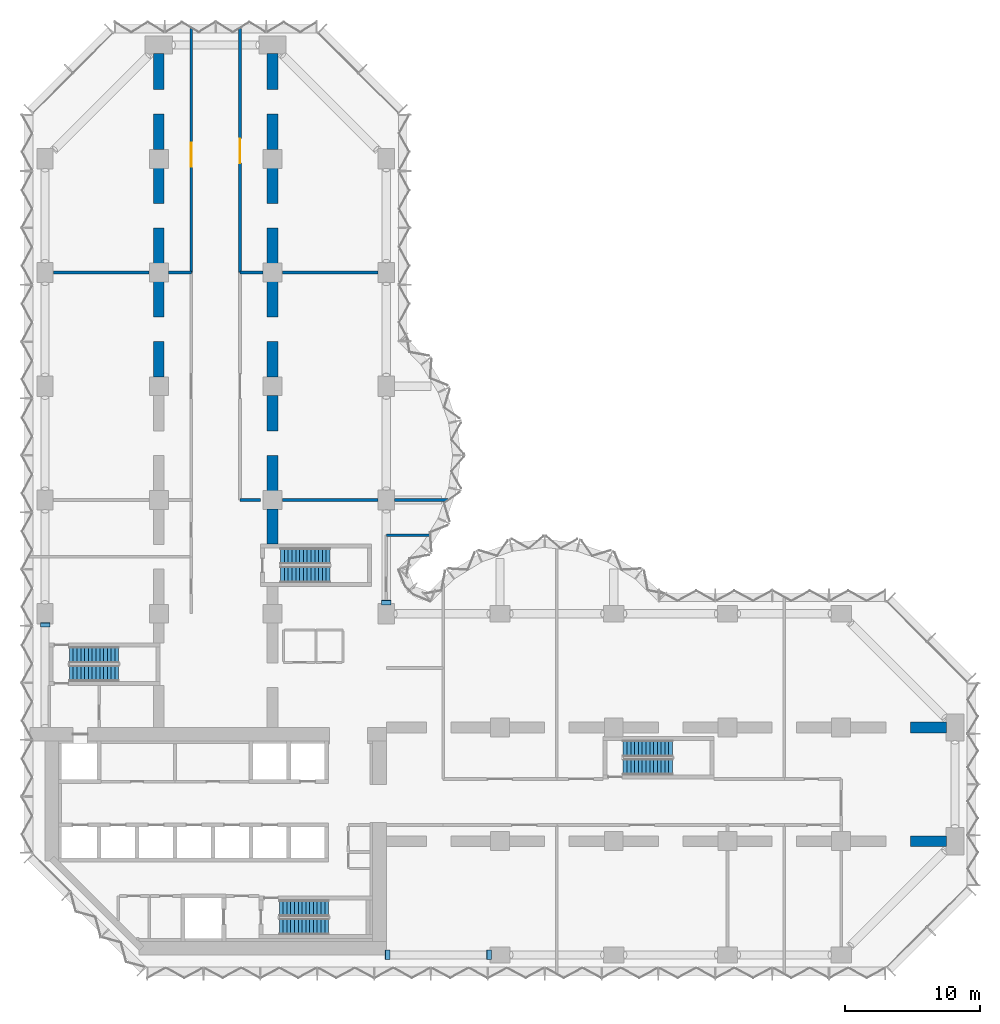
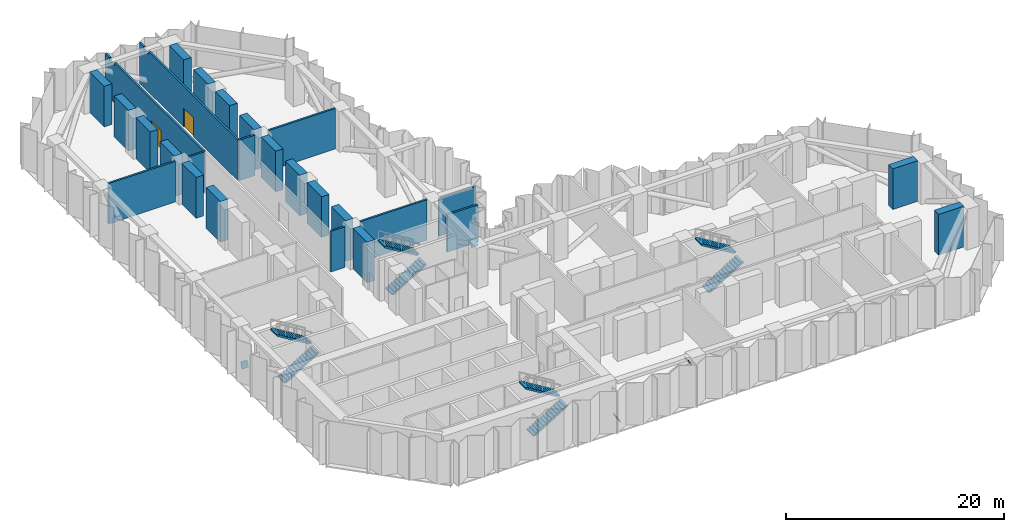
# One storey, part 13 of 18: 27 walls, 8 stair flights, 4 discrete accessories, 2 doors, 2 openings, 4 elements without a shape of their own.
"""IFC4 building model written with IfcOpenShell, lengths in metres."""

from ifc_helpers import new_model, si_unit, direction, frame, frame_2d, origin, origin_2d, place, context, subcontext, project, spatial, polyline, rectangle, outline, extrude, material, layer, layer_set, type_object, element, fill, aggregate, save


model = new_model("IFC4")

# Units and contexts
model_context = context("Model", 3, precision=1e-05, world=origin(), true_north=direction((0.0, 1.0)))
body_context = subcontext(model_context, "Body", "Model", "MODEL_VIEW")
ifc_project = project(units=[si_unit("LENGTHUNIT", "METRE"), si_unit("AREAUNIT", "SQUARE_METRE"), si_unit("VOLUMEUNIT", "CUBIC_METRE"), si_unit("PLANEANGLEUNIT", "RADIAN"), si_unit("MASSUNIT", "GRAM", prefix="KILO")], contexts=[model_context])

# Site, building, storey
site_placement = place(None, origin())
site = spatial("IfcSite", under=ifc_project, at=site_placement, CompositionType="ELEMENT")
building_placement = place(site_placement, origin())
building = spatial("IfcBuilding", under=site, at=building_placement, Name="Brevane Broadcast Tower", CompositionType="ELEMENT")
storey_placement = place(building_placement, frame((0.0, 0.0, 86.89990234375)))
storey = spatial("IfcBuildingStorey", under=building, at=storey_placement, Name="L20", CompositionType="ELEMENT", Elevation=86.89990234375)

# Walls
ifc_material_1 = material(Name="Gypsum board partition")
ifc_layer_1 = layer(ifc_material_1, 0.199951171875)
ifc_layer_set_1 = layer_set([ifc_layer_1], Name="PARTITION 200 EI 120")
wall_type_1 = type_object("IfcWallType", Name="PARTITION 200 EI 120", PredefinedType="PARTITIONING", material=ifc_layer_set_1)
wall_1_placement = place(storey_placement, frame((25.199951171875, 31.0, 0.0), z_axis=(0.0, 0.0, 1.0), x_axis=(1.0, 0.0, 0.0)))
element("IfcWall", 1, at=wall_1_placement, inside=storey, type_object=wall_type_1, Name="Partition R1-006", PredefinedType="PARTITIONING", context=body_context, shape_type="SweptSolid", body=[
    extrude(rectangle(XDim=3.32421875, YDim=0.199951171875, at=frame_2d((1.662109375, 0.0))), origin(), (0.0, 0.0, 1.0), 4.18017578125),
])
wall_2_placement = place(storey_placement, frame((14.39990234375, 33.60009765625, 0.0), z_axis=(0.0, 0.0, 1.0), x_axis=(1.0, 0.0, 0.0)))
element("IfcWall", 2, at=wall_2_placement, inside=storey, type_object=wall_type_1, Name="Partition R1-026", PredefinedType="PARTITIONING", context=body_context, shape_type="SweptSolid", body=[
    extrude(rectangle(XDim=1.5, YDim=0.199951171875, at=frame_2d((0.75, 0.0))), origin(), (0.0, 0.0, 1.0), 4.530029296875),
])
wall_3_placement = place(storey_placement, frame((17.52001953125, 33.60009765625, 0.0), z_axis=(0.0, 0.0, 1.0), x_axis=(1.0, 0.0, 0.0)))
element("IfcWall", 3, at=wall_3_placement, inside=storey, type_object=wall_type_1, Name="Partition R1-027", PredefinedType="PARTITIONING", context=body_context, shape_type="SweptSolid", body=[
    extrude(rectangle(XDim=7.06005859375, YDim=0.199951171875, at=frame_2d((3.530029296875, 0.0))), origin(), (0.0, 0.0, 1.0), 4.530029296875),
])
wall_4_placement = place(storey_placement, frame((25.820068359375, 33.60009765625, 0.0), z_axis=(0.0, 0.0, 1.0), x_axis=(1.0, 0.0, 0.0)))
element("IfcWall", 4, at=wall_4_placement, inside=storey, type_object=wall_type_1, Name="Partition R1-028", PredefinedType="PARTITIONING", context=body_context, shape_type="SweptSolid", body=[
    extrude(rectangle(XDim=3.94189453125, YDim=0.199951171875, at=frame_2d((1.970947265625, 0.0))), origin(), (0.0, 0.0, 1.0), 4.18017578125),
])

# Wall, opening, door
wall_5_placement = place(storey_placement, frame((10.800048828125, 50.39990234375, 0.0), z_axis=(0.0, 0.0, 1.0), x_axis=(0.0, 1.0, 0.0)))
wall_5 = element("IfcWall", 5, at=wall_5_placement, inside=storey, type_object=wall_type_1, Name="Partition R1-030", PredefinedType="PARTITIONING", context=body_context, shape_type="SweptSolid", body=[
    extrude(outline(polyline([(0.0, 0.0), (18.023193359375, 0.0), (18.023193359375, 4.530029296875), (17.8798828125, 4.530029296875), (17.25, 4.530029296875), (17.248046875, 4.18017578125), (16.35205078125, 4.18017578125), (16.35009765625, 4.530029296875), (0.0, 4.530029296875), (0.0, 0.0)])), frame((0.0, 0.10009765625, 0.0), z_axis=(0.0, -1.0, 0.0), x_axis=(1.0, 0.0, 0.0)), (0.0, 0.0, 1.0), 0.199951171875),
])
opening_1_placement = place(wall_5_placement, frame((7.800048828125, 0.0, 0.0)))
opening_1 = element("IfcOpeningElement", 6, at=opening_1_placement, cuts=wall_5, Name="Opening D12-013", PredefinedType="OPENING", context=body_context, shape_type="SweptSolid", body=[
    extrude(rectangle(XDim=1.800048828125, YDim=2.10009765625, at=frame_2d((0.89990234375, 1.050048828125))), frame((0.0, 0.10986328125, 0.0), z_axis=(0.0, -1.0, 0.0), x_axis=(1.0, 0.0, 0.0)), (0.0, 0.0, 1.0), 0.219970703125),
])
ifc_material_2 = material(Name="Fire-rated timber door leaf", Category="wood")
door_type = type_object("IfcDoorType", Name="DOOR DOUBLE 1800 FD60", OperationType="DOUBLE_DOOR_SINGLE_SWING", PredefinedType="DOOR", material=ifc_material_2)
door_1_placement = place(opening_1_placement, origin())
door_1 = element("IfcDoor", 7, at=door_1_placement, inside=storey, type_object=door_type, Name="Door D12-013", OperationType="DOUBLE_DOOR_SINGLE_SWING", OverallHeight=2.10009765625, OverallWidth=1.800048828125, PredefinedType="DOOR", context=body_context, shape_type="SweptSolid", body=[
    extrude(rectangle(XDim=1.800048828125, YDim=2.10009765625, at=frame_2d((0.89990234375, 1.050048828125))), frame((0.0, 0.02490234375, 0.0), z_axis=(0.0, -1.0, 0.0), x_axis=(1.0, 0.0, 0.0)), (0.0, 0.0, 1.0), 0.050048828125),
])
fill(opening_1, door_1)

wall_6_placement = place(storey_placement, frame((14.39990234375, 68.423095703125, 0.0), z_axis=(0.0, 0.0, 1.0), x_axis=(0.0, -1.0, 0.0)))
wall_6 = element("IfcWall", 8, at=wall_6_placement, inside=storey, type_object=wall_type_1, Name="Partition R1-032", PredefinedType="PARTITIONING", context=body_context, shape_type="SweptSolid", body=[
    extrude(outline(polyline([(0.0, 0.0), (18.023193359375, 0.0), (18.023193359375, 4.530029296875), (1.673095703125, 4.530029296875), (1.671142578125, 4.18017578125), (0.775146484375, 4.18017578125), (0.773193359375, 4.530029296875), (0.143310546875, 4.530029296875), (0.0, 4.530029296875), (0.0, 0.0)])), frame((0.0, 0.10009765625, 0.0), z_axis=(0.0, -1.0, 0.0), x_axis=(1.0, 0.0, 0.0)), (0.0, 0.0, 1.0), 0.199951171875),
])
opening_2_placement = place(wall_6_placement, frame((8.143310546875, 0.0, 0.0)))
opening_2 = element("IfcOpeningElement", 9, at=opening_2_placement, cuts=wall_6, Name="Opening D12-015", PredefinedType="OPENING", context=body_context, shape_type="SweptSolid", body=[
    extrude(rectangle(XDim=1.800048828125, YDim=2.10009765625, at=frame_2d((0.89990234375, 1.050048828125))), frame((0.0, 0.10986328125, 0.0), z_axis=(0.0, -1.0, 0.0), x_axis=(1.0, 0.0, 0.0)), (0.0, 0.0, 1.0), 0.219970703125),
])
door_2_placement = place(opening_2_placement, origin())
door_2 = element("IfcDoor", 10, at=door_2_placement, inside=storey, type_object=door_type, Name="Door D12-015", OperationType="DOUBLE_DOOR_SINGLE_SWING", OverallHeight=2.10009765625, OverallWidth=1.800048828125, PredefinedType="DOOR", context=body_context, shape_type="SweptSolid", body=[
    extrude(rectangle(XDim=1.800048828125, YDim=2.10009765625, at=frame_2d((0.89990234375, 1.050048828125))), frame((0.0, 0.02490234375, 0.0), z_axis=(0.0, -1.0, 0.0), x_axis=(1.0, 0.0, 0.0)), (0.0, 0.0, 1.0), 0.050048828125),
])
fill(opening_2, door_2)

# Walls
wall_7_placement = place(storey_placement, frame((0.6201171875, 50.39990234375, 0.0), z_axis=(0.0, 0.0, 1.0), x_axis=(1.0, 0.0, 0.0)))
element("IfcWall", 11, at=wall_7_placement, inside=storey, type_object=wall_type_1, Name="Partition R1-036", PredefinedType="PARTITIONING", context=body_context, shape_type="SweptSolid", body=[
    extrude(rectangle(XDim=7.059814453125, YDim=0.199951171875, at=frame_2d((3.52978515625, 0.0))), origin(), (0.0, 0.0, 1.0), 4.530029296875),
])
wall_8_placement = place(storey_placement, frame((9.1201171875, 50.39990234375, 0.0), z_axis=(0.0, 0.0, 1.0), x_axis=(1.0, 0.0, 0.0)))
element("IfcWall", 12, at=wall_8_placement, inside=storey, type_object=wall_type_1, Name="Partition R1-037", PredefinedType="PARTITIONING", context=body_context, shape_type="SweptSolid", body=[
    extrude(rectangle(XDim=1.679931640625, YDim=0.199951171875, at=frame_2d((0.83984375, 0.0))), origin(), (0.0, 0.0, 1.0), 4.530029296875),
])
wall_9_placement = place(storey_placement, frame((14.39990234375, 50.39990234375, 0.0), z_axis=(0.0, 0.0, 1.0), x_axis=(1.0, 0.0, 0.0)))
element("IfcWall", 13, at=wall_9_placement, inside=storey, type_object=wall_type_1, Name="Partition R1-038", PredefinedType="PARTITIONING", context=body_context, shape_type="SweptSolid", body=[
    extrude(rectangle(XDim=1.68017578125, YDim=0.199951171875, at=frame_2d((0.840087890625, 0.0))), origin(), (0.0, 0.0, 1.0), 4.530029296875),
])
wall_10_placement = place(storey_placement, frame((17.52001953125, 50.39990234375, 0.0), z_axis=(0.0, 0.0, 1.0), x_axis=(1.0, 0.0, 0.0)))
element("IfcWall", 14, at=wall_10_placement, inside=storey, type_object=wall_type_1, Name="Partition R1-039", PredefinedType="PARTITIONING", context=body_context, shape_type="SweptSolid", body=[
    extrude(rectangle(XDim=7.06005859375, YDim=0.199951171875, at=frame_2d((3.530029296875, 0.0))), origin(), (0.0, 0.0, 1.0), 4.530029296875),
])
ifc_material_3 = material(Name="Concrete C60/75", Category="concrete")
ifc_layer_2 = layer(ifc_material_3, 0.800048828125)
ifc_layer_set_2 = layer_set([ifc_layer_2], Name="RC OUTRIGGER WALL 800 C60/75")
wall_type_2 = type_object("IfcWallType", Name="RC OUTRIGGER WALL 800 C60/75", PredefinedType="SHEAR", material=ifc_layer_set_2)
for number, where, z_axis, x_axis, name in (
    (15, (63.925048828125, 8.39990234375, 0.0), (0.0, 0.0, 1.0), (1.0, 0.0, 0.0), "OR1 L20-10"),
    (16, (63.925048828125, 16.800048828125, 0.0), (0.0, 0.0, 1.0), (1.0, 0.0, 0.0), "OR1 L20-20"),
):
    element("IfcWall", number, at=place(storey_placement, frame(where, z_axis=z_axis, x_axis=x_axis)), inside=storey, type_object=wall_type_2, Name=name, PredefinedType="SHEAR", context=body_context, shape_type="SweptSolid", body=[
        extrude(rectangle(XDim=2.655029296875, YDim=0.800048828125, at=frame_2d((1.32763671875, 0.0))), origin(), (0.0, 0.0, 1.0), 4.550048828125),
    ])
wall_11_placement = place(storey_placement, frame((8.39990234375, 42.669921875, 0.0), z_axis=(0.0, 0.0, 1.0), x_axis=(0.0, 1.0, 0.0)))
element("IfcWall", 17, at=wall_11_placement, inside=storey, type_object=wall_type_2, Name="OR1 L20-27", PredefinedType="SHEAR", context=body_context, shape_type="SweptSolid", body=[
    extrude(rectangle(XDim=2.630126953125, YDim=0.800048828125, at=frame_2d((1.31494140625, 0.0))), origin(), (0.0, 0.0, 1.0), 4.550048828125),
])
for number, where, z_axis, x_axis, name in (
    (18, (8.39990234375, 47.10009765625, 0.0), (0.0, 0.0, 1.0), (0.0, 1.0, 0.0), "OR1 L20-28"),
    (19, (8.39990234375, 51.070068359375, 0.0), (0.0, 0.0, 1.0), (0.0, 1.0, 0.0), "OR1 L20-29"),
    (20, (8.39990234375, 55.5, 0.0), (0.0, 0.0, 1.0), (0.0, 1.0, 0.0), "OR1 L20-30"),
):
    element("IfcWall", number, at=place(storey_placement, frame(where, z_axis=z_axis, x_axis=x_axis)), inside=storey, type_object=wall_type_2, Name=name, PredefinedType="SHEAR", context=body_context, shape_type="SweptSolid", body=[
        extrude(rectangle(XDim=2.6298828125, YDim=0.800048828125, at=frame_2d((1.31494140625, 0.0))), origin(), (0.0, 0.0, 1.0), 4.550048828125),
    ])
for number, where, z_axis, x_axis, name in (
    (21, (8.39990234375, 59.469970703125, 0.0), (0.0, 0.0, 1.0), (0.0, 1.0, 0.0), "OR1 L20-31"),
    (22, (8.39990234375, 63.925048828125, 0.0), (0.0, 0.0, 1.0), (0.0, 1.0, 0.0), "OR1 L20-32"),
):
    element("IfcWall", number, at=place(storey_placement, frame(where, z_axis=z_axis, x_axis=x_axis)), inside=storey, type_object=wall_type_2, Name=name, PredefinedType="SHEAR", context=body_context, shape_type="SweptSolid", body=[
        extrude(rectangle(XDim=2.655029296875, YDim=0.800048828125, at=frame_2d((1.32763671875, 0.0))), origin(), (0.0, 0.0, 1.0), 4.550048828125),
    ])
wall_12_placement = place(storey_placement, frame((16.800048828125, 30.35009765625, 0.0), z_axis=(0.0, 0.0, 1.0), x_axis=(0.0, 1.0, 0.0)))
element("IfcWall", 23, at=wall_12_placement, inside=storey, type_object=wall_type_2, Name="OR1 L20-35", PredefinedType="SHEAR", context=body_context, shape_type="SweptSolid", body=[
    extrude(rectangle(XDim=2.579833984375, YDim=0.800048828125, at=frame_2d((1.2900390625, 0.0))), origin(), (0.0, 0.0, 1.0), 4.550048828125),
])
wall_13_placement = place(storey_placement, frame((16.800048828125, 34.27001953125, 0.0), z_axis=(0.0, 0.0, 1.0), x_axis=(0.0, 1.0, 0.0)))
element("IfcWall", 24, at=wall_13_placement, inside=storey, type_object=wall_type_2, Name="OR1 L20-37", PredefinedType="SHEAR", context=body_context, shape_type="SweptSolid", body=[
    extrude(rectangle(XDim=2.6298828125, YDim=0.800048828125, at=frame_2d((1.31494140625, 0.0))), origin(), (0.0, 0.0, 1.0), 4.550048828125),
])
for number, where, z_axis, x_axis, name in (
    (25, (16.800048828125, 38.699951171875, 0.0), (0.0, 0.0, 1.0), (0.0, 1.0, 0.0), "OR1 L20-38"),
    (26, (16.800048828125, 42.669921875, 0.0), (0.0, 0.0, 1.0), (0.0, 1.0, 0.0), "OR1 L20-39"),
):
    element("IfcWall", number, at=place(storey_placement, frame(where, z_axis=z_axis, x_axis=x_axis)), inside=storey, type_object=wall_type_2, Name=name, PredefinedType="SHEAR", context=body_context, shape_type="SweptSolid", body=[
        extrude(rectangle(XDim=2.630126953125, YDim=0.800048828125, at=frame_2d((1.31494140625, 0.0))), origin(), (0.0, 0.0, 1.0), 4.550048828125),
    ])
for number, where, z_axis, x_axis, name in (
    (27, (16.800048828125, 47.10009765625, 0.0), (0.0, 0.0, 1.0), (0.0, 1.0, 0.0), "OR1 L20-40"),
    (28, (16.800048828125, 51.070068359375, 0.0), (0.0, 0.0, 1.0), (0.0, 1.0, 0.0), "OR1 L20-41"),
    (29, (16.800048828125, 55.5, 0.0), (0.0, 0.0, 1.0), (0.0, 1.0, 0.0), "OR1 L20-42"),
):
    element("IfcWall", number, at=place(storey_placement, frame(where, z_axis=z_axis, x_axis=x_axis)), inside=storey, type_object=wall_type_2, Name=name, PredefinedType="SHEAR", context=body_context, shape_type="SweptSolid", body=[
        extrude(rectangle(XDim=2.6298828125, YDim=0.800048828125, at=frame_2d((1.31494140625, 0.0))), origin(), (0.0, 0.0, 1.0), 4.550048828125),
    ])
for number, where, z_axis, x_axis, name in (
    (30, (16.800048828125, 59.469970703125, 0.0), (0.0, 0.0, 1.0), (0.0, 1.0, 0.0), "OR1 L20-43"),
    (31, (16.800048828125, 63.925048828125, 0.0), (0.0, 0.0, 1.0), (0.0, 1.0, 0.0), "OR1 L20-44"),
):
    element("IfcWall", number, at=place(storey_placement, frame(where, z_axis=z_axis, x_axis=x_axis)), inside=storey, type_object=wall_type_2, Name=name, PredefinedType="SHEAR", context=body_context, shape_type="SweptSolid", body=[
        extrude(rectangle(XDim=2.655029296875, YDim=0.800048828125, at=frame_2d((1.32763671875, 0.0))), origin(), (0.0, 0.0, 1.0), 4.550048828125),
    ])

# Stair, stair flights
ifc_material_4 = material(Name="Concrete C50/60", Category="concrete")
stair_type = type_object("IfcStairType", Name="Exit stair 28 risers", PredefinedType="HALF_TURN_STAIR", material=ifc_material_4)
stair_1_placement = place(storey_placement, origin())
stair_1 = element("IfcStair", 32, at=stair_1_placement, inside=storey, type_object=stair_type, Name="L20 Exit stair ST-1", PredefinedType="HALF_TURN_STAIR")
stair_flight_type = type_object("IfcStairFlightType", Name="Exit stair flight 28 risers", PredefinedType="STRAIGHT", material=ifc_material_4)
stair_flight_1_placement = place(storey_placement, frame((1.800048828125, 20.800048828125, 0.0), z_axis=(0.0, 0.0, 1.0), x_axis=(1.0, 0.0, 0.0)))
stair_flight_1 = element("IfcStairFlight", 33, at=stair_flight_1_placement, type_object=stair_flight_type, Name="ST-1 flight 1", NumberOfRisers=14, NumberOfTreads=13, PredefinedType="STRAIGHT", RiserHeight=0.171428571, TreadLength=0.28, context=body_context, shape_type="SweptSolid", body=[
    extrude(outline(polyline([(0.0, 0.0), (0.0, 0.17138671875), (0.280029296875, 0.17138671875), (0.280029296875, 0.3427734375), (0.56005859375, 0.3427734375), (0.56005859375, 0.514404296875), (0.840087890625, 0.514404296875), (0.840087890625, 0.685791015625), (1.1201171875, 0.685791015625), (1.1201171875, 0.857177734375), (1.39990234375, 0.857177734375), (1.39990234375, 1.028564453125), (1.679931640625, 1.028564453125), (1.679931640625, 1.199951171875), (1.9599609375, 1.199951171875), (1.9599609375, 1.371337890625), (2.239990234375, 1.371337890625), (2.239990234375, 1.54296875), (2.52001953125, 1.54296875), (2.52001953125, 1.71435546875), (2.800048828125, 1.71435546875), (2.800048828125, 1.8857421875), (3.080078125, 1.8857421875), (3.080078125, 2.05712890625), (3.360107421875, 2.05712890625), (3.360107421875, 2.228515625), (3.639892578125, 2.228515625), (3.639892578125, 2.39990234375), (3.639892578125, 2.052734375), (0.287109375, 0.0), (0.0, 0.0)])), frame((0.0, 0.60009765625, 0.0), z_axis=(0.0, -1.0, 0.0), x_axis=(1.0, 0.0, 0.0)), (0.0, 0.0, 1.0), 1.199951171875),
])
stair_flight_2_placement = place(storey_placement, frame((5.43994140625, 22.14990234375, 2.400146484375), z_axis=(0.0, 0.0, 1.0), x_axis=(-1.0, 0.0, 0.0)))
stair_flight_2 = element("IfcStairFlight", 34, at=stair_flight_2_placement, type_object=stair_flight_type, Name="ST-1 flight 2", NumberOfRisers=14, NumberOfTreads=13, PredefinedType="STRAIGHT", RiserHeight=0.171428571, TreadLength=0.28, context=body_context, shape_type="SweptSolid", body=[
    extrude(outline(polyline([(0.0, 0.0), (0.0, 0.17138671875), (0.280029296875, 0.17138671875), (0.280029296875, 0.3427734375), (0.56005859375, 0.3427734375), (0.56005859375, 0.514404296875), (0.840087890625, 0.514404296875), (0.840087890625, 0.685791015625), (1.1201171875, 0.685791015625), (1.1201171875, 0.857177734375), (1.39990234375, 0.857177734375), (1.39990234375, 1.028564453125), (1.679931640625, 1.028564453125), (1.679931640625, 1.199951171875), (1.9599609375, 1.199951171875), (1.9599609375, 1.371337890625), (2.239990234375, 1.371337890625), (2.239990234375, 1.54296875), (2.52001953125, 1.54296875), (2.52001953125, 1.71435546875), (2.800048828125, 1.71435546875), (2.800048828125, 1.8857421875), (3.080078125, 1.8857421875), (3.080078125, 2.05712890625), (3.360107421875, 2.05712890625), (3.360107421875, 2.228515625), (3.639892578125, 2.228515625), (3.639892578125, 2.39990234375), (3.639892578125, 2.052734375), (0.287109375, 0.0), (0.0, 0.0)])), frame((0.0, 0.60009765625, 0.0), z_axis=(0.0, -1.0, 0.0), x_axis=(1.0, 0.0, 0.0)), (0.0, 0.0, 1.0), 1.199951171875),
])
aggregate(stair_1, [stair_flight_1, stair_flight_2])

stair_2_placement = place(storey_placement, origin())
stair_2 = element("IfcStair", 35, at=stair_2_placement, inside=storey, type_object=stair_type, Name="L20 Exit stair ST-2", PredefinedType="HALF_TURN_STAIR")
stair_flight_3_placement = place(storey_placement, frame((17.300048828125, 2.10009765625, 0.0), z_axis=(0.0, 0.0, 1.0), x_axis=(1.0, 0.0, 0.0)))
stair_flight_3 = element("IfcStairFlight", 36, at=stair_flight_3_placement, type_object=stair_flight_type, Name="ST-2 flight 1", NumberOfRisers=14, NumberOfTreads=13, PredefinedType="STRAIGHT", RiserHeight=0.171428571, TreadLength=0.28, context=body_context, shape_type="SweptSolid", body=[
    extrude(outline(polyline([(0.0, 0.0), (0.0, 0.17138671875), (0.280029296875, 0.17138671875), (0.280029296875, 0.3427734375), (0.56005859375, 0.3427734375), (0.56005859375, 0.514404296875), (0.840087890625, 0.514404296875), (0.840087890625, 0.685791015625), (1.1201171875, 0.685791015625), (1.1201171875, 0.857177734375), (1.39990234375, 0.857177734375), (1.39990234375, 1.028564453125), (1.679931640625, 1.028564453125), (1.679931640625, 1.199951171875), (1.9599609375, 1.199951171875), (1.9599609375, 1.371337890625), (2.239990234375, 1.371337890625), (2.239990234375, 1.54296875), (2.52001953125, 1.54296875), (2.52001953125, 1.71435546875), (2.800048828125, 1.71435546875), (2.800048828125, 1.8857421875), (3.080078125, 1.8857421875), (3.080078125, 2.05712890625), (3.360107421875, 2.05712890625), (3.360107421875, 2.228515625), (3.639892578125, 2.228515625), (3.639892578125, 2.39990234375), (3.639892578125, 2.052734375), (0.287109375, 0.0), (0.0, 0.0)])), frame((0.0, 0.60009765625, 0.0), z_axis=(0.0, -1.0, 0.0), x_axis=(1.0, 0.0, 0.0)), (0.0, 0.0, 1.0), 1.199951171875),
])
stair_flight_4_placement = place(storey_placement, frame((20.93994140625, 3.449951171875, 2.400146484375), z_axis=(0.0, 0.0, 1.0), x_axis=(-1.0, 0.0, 0.0)))
stair_flight_4 = element("IfcStairFlight", 37, at=stair_flight_4_placement, type_object=stair_flight_type, Name="ST-2 flight 2", NumberOfRisers=14, NumberOfTreads=13, PredefinedType="STRAIGHT", RiserHeight=0.171428571, TreadLength=0.28, context=body_context, shape_type="SweptSolid", body=[
    extrude(outline(polyline([(0.0, 0.0), (0.0, 0.17138671875), (0.280029296875, 0.17138671875), (0.280029296875, 0.3427734375), (0.56005859375, 0.3427734375), (0.56005859375, 0.514404296875), (0.840087890625, 0.514404296875), (0.840087890625, 0.685791015625), (1.1201171875, 0.685791015625), (1.1201171875, 0.857177734375), (1.39990234375, 0.857177734375), (1.39990234375, 1.028564453125), (1.679931640625, 1.028564453125), (1.679931640625, 1.199951171875), (1.9599609375, 1.199951171875), (1.9599609375, 1.371337890625), (2.239990234375, 1.371337890625), (2.239990234375, 1.54296875), (2.52001953125, 1.54296875), (2.52001953125, 1.71435546875), (2.800048828125, 1.71435546875), (2.800048828125, 1.8857421875), (3.080078125, 1.8857421875), (3.080078125, 2.05712890625), (3.360107421875, 2.05712890625), (3.360107421875, 2.228515625), (3.639892578125, 2.228515625), (3.639892578125, 2.39990234375), (3.639892578125, 2.052734375), (0.287109375, 0.0), (0.0, 0.0)])), frame((0.0, 0.60009765625, 0.0), z_axis=(0.0, -1.0, 0.0), x_axis=(1.0, 0.0, 0.0)), (0.0, 0.0, 1.0), 1.199951171875),
])
aggregate(stair_2, [stair_flight_3, stair_flight_4])

stair_3_placement = place(storey_placement, origin())
stair_3 = element("IfcStair", 38, at=stair_3_placement, inside=storey, type_object=stair_type, Name="L20 Exit stair ST-3", PredefinedType="HALF_TURN_STAIR")
stair_flight_5_placement = place(storey_placement, frame((17.39990234375, 28.10009765625, 0.0), z_axis=(0.0, 0.0, 1.0), x_axis=(1.0, 0.0, 0.0)))
stair_flight_5 = element("IfcStairFlight", 39, at=stair_flight_5_placement, type_object=stair_flight_type, Name="ST-3 flight 1", NumberOfRisers=14, NumberOfTreads=13, PredefinedType="STRAIGHT", RiserHeight=0.171428571, TreadLength=0.28, context=body_context, shape_type="SweptSolid", body=[
    extrude(outline(polyline([(0.0, 0.0), (0.0, 0.17138671875), (0.280029296875, 0.17138671875), (0.280029296875, 0.3427734375), (0.56005859375, 0.3427734375), (0.56005859375, 0.514404296875), (0.840087890625, 0.514404296875), (0.840087890625, 0.685791015625), (1.1201171875, 0.685791015625), (1.1201171875, 0.857177734375), (1.39990234375, 0.857177734375), (1.39990234375, 1.028564453125), (1.679931640625, 1.028564453125), (1.679931640625, 1.199951171875), (1.9599609375, 1.199951171875), (1.9599609375, 1.371337890625), (2.239990234375, 1.371337890625), (2.239990234375, 1.54296875), (2.52001953125, 1.54296875), (2.52001953125, 1.71435546875), (2.800048828125, 1.71435546875), (2.800048828125, 1.8857421875), (3.080078125, 1.8857421875), (3.080078125, 2.05712890625), (3.360107421875, 2.05712890625), (3.360107421875, 2.228515625), (3.639892578125, 2.228515625), (3.639892578125, 2.39990234375), (3.639892578125, 2.052734375), (0.287109375, 0.0), (0.0, 0.0)])), frame((0.0, 0.60009765625, 0.0), z_axis=(0.0, -1.0, 0.0), x_axis=(1.0, 0.0, 0.0)), (0.0, 0.0, 1.0), 1.199951171875),
])
stair_flight_6_placement = place(storey_placement, frame((21.0400390625, 29.449951171875, 2.400146484375), z_axis=(0.0, 0.0, 1.0), x_axis=(-1.0, 0.0, 0.0)))
stair_flight_6 = element("IfcStairFlight", 40, at=stair_flight_6_placement, type_object=stair_flight_type, Name="ST-3 flight 2", NumberOfRisers=14, NumberOfTreads=13, PredefinedType="STRAIGHT", RiserHeight=0.171428571, TreadLength=0.28, context=body_context, shape_type="SweptSolid", body=[
    extrude(outline(polyline([(0.0, 0.0), (0.0, 0.17138671875), (0.280029296875, 0.17138671875), (0.280029296875, 0.3427734375), (0.56005859375, 0.3427734375), (0.56005859375, 0.514404296875), (0.840087890625, 0.514404296875), (0.840087890625, 0.685791015625), (1.1201171875, 0.685791015625), (1.1201171875, 0.857177734375), (1.39990234375, 0.857177734375), (1.39990234375, 1.028564453125), (1.679931640625, 1.028564453125), (1.679931640625, 1.199951171875), (1.9599609375, 1.199951171875), (1.9599609375, 1.371337890625), (2.239990234375, 1.371337890625), (2.239990234375, 1.54296875), (2.52001953125, 1.54296875), (2.52001953125, 1.71435546875), (2.800048828125, 1.71435546875), (2.800048828125, 1.8857421875), (3.080078125, 1.8857421875), (3.080078125, 2.05712890625), (3.360107421875, 2.05712890625), (3.360107421875, 2.228515625), (3.639892578125, 2.228515625), (3.639892578125, 2.39990234375), (3.639892578125, 2.052734375), (0.287109375, 0.0), (0.0, 0.0)])), frame((0.0, 0.60009765625, 0.0), z_axis=(0.0, -1.0, 0.0), x_axis=(1.0, 0.0, 0.0)), (0.0, 0.0, 1.0), 1.199951171875),
])
aggregate(stair_3, [stair_flight_5, stair_flight_6])

stair_4_placement = place(storey_placement, origin())
stair_4 = element("IfcStair", 41, at=stair_4_placement, inside=storey, type_object=stair_type, Name="L20 Exit stair ST-4", PredefinedType="HALF_TURN_STAIR")
stair_flight_7_placement = place(storey_placement, frame((42.699951171875, 13.89990234375, 0.0), z_axis=(0.0, 0.0, 1.0), x_axis=(1.0, 0.0, 0.0)))
stair_flight_7 = element("IfcStairFlight", 42, at=stair_flight_7_placement, type_object=stair_flight_type, Name="ST-4 flight 1", NumberOfRisers=14, NumberOfTreads=13, PredefinedType="STRAIGHT", RiserHeight=0.171428571, TreadLength=0.28, context=body_context, shape_type="SweptSolid", body=[
    extrude(outline(polyline([(0.0, 0.0), (0.0, 0.17138671875), (0.280029296875, 0.17138671875), (0.280029296875, 0.3427734375), (0.56005859375, 0.3427734375), (0.56005859375, 0.514404296875), (0.840087890625, 0.514404296875), (0.840087890625, 0.685791015625), (1.1201171875, 0.685791015625), (1.1201171875, 0.857177734375), (1.39990234375, 0.857177734375), (1.39990234375, 1.028564453125), (1.679931640625, 1.028564453125), (1.679931640625, 1.199951171875), (1.9599609375, 1.199951171875), (1.9599609375, 1.371337890625), (2.239990234375, 1.371337890625), (2.239990234375, 1.54296875), (2.52001953125, 1.54296875), (2.52001953125, 1.71435546875), (2.800048828125, 1.71435546875), (2.800048828125, 1.8857421875), (3.080078125, 1.8857421875), (3.080078125, 2.05712890625), (3.360107421875, 2.05712890625), (3.360107421875, 2.228515625), (3.639892578125, 2.228515625), (3.639892578125, 2.39990234375), (3.639892578125, 2.052734375), (0.287109375, 0.0), (0.0, 0.0)])), frame((0.0, 0.60009765625, 0.0), z_axis=(0.0, -1.0, 0.0), x_axis=(1.0, 0.0, 0.0)), (0.0, 0.0, 1.0), 1.199951171875),
])
stair_flight_8_placement = place(storey_placement, frame((46.340087890625, 15.25, 2.400146484375), z_axis=(0.0, 0.0, 1.0), x_axis=(-1.0, 0.0, 0.0)))
stair_flight_8 = element("IfcStairFlight", 43, at=stair_flight_8_placement, type_object=stair_flight_type, Name="ST-4 flight 2", NumberOfRisers=14, NumberOfTreads=13, PredefinedType="STRAIGHT", RiserHeight=0.171428571, TreadLength=0.28, context=body_context, shape_type="SweptSolid", body=[
    extrude(outline(polyline([(0.0, 0.0), (0.0, 0.17138671875), (0.280029296875, 0.17138671875), (0.280029296875, 0.3427734375), (0.56005859375, 0.3427734375), (0.56005859375, 0.514404296875), (0.840087890625, 0.514404296875), (0.840087890625, 0.685791015625), (1.1201171875, 0.685791015625), (1.1201171875, 0.857177734375), (1.39990234375, 0.857177734375), (1.39990234375, 1.028564453125), (1.679931640625, 1.028564453125), (1.679931640625, 1.199951171875), (1.9599609375, 1.199951171875), (1.9599609375, 1.371337890625), (2.239990234375, 1.371337890625), (2.239990234375, 1.54296875), (2.52001953125, 1.54296875), (2.52001953125, 1.71435546875), (2.800048828125, 1.71435546875), (2.800048828125, 1.8857421875), (3.080078125, 1.8857421875), (3.080078125, 2.05712890625), (3.360107421875, 2.05712890625), (3.360107421875, 2.228515625), (3.639892578125, 2.228515625), (3.639892578125, 2.39990234375), (3.639892578125, 2.052734375), (0.287109375, 0.0), (0.0, 0.0)])), frame((0.0, 0.60009765625, 0.0), z_axis=(0.0, -1.0, 0.0), x_axis=(1.0, 0.0, 0.0)), (0.0, 0.0, 1.0), 1.199951171875),
])
aggregate(stair_4, [stair_flight_7, stair_flight_8])

# Discrete accessories
ifc_material_5 = material(Name="Steel S355", Category="steel")
ifc_layer_3 = layer(ifc_material_5, 0.0400390625)
ifc_layer_set_3 = layer_set([ifc_layer_3], Name="Gusset plate 700x700x40 S355")
discrete_accessory_type = type_object("IfcDiscreteAccessoryType", Name="Gusset plate 700x700x40 S355", PredefinedType="ANCHORPLATE", material=ifc_layer_set_3)
discrete_accessory_1_placement = place(storey_placement, frame((25.2783203125, 0.0, 0.208984375), z_axis=(0.891970083601, 0.0, 0.452094425935), x_axis=(0.0, 1.0, 0.0)))
element("IfcDiscreteAccessory", 44, at=discrete_accessory_1_placement, inside=storey, type_object=discrete_accessory_type, Name="Gusset plate GP1-1", PredefinedType="ANCHORPLATE", context=body_context, shape_type="SweptSolid", body=[
    extrude(rectangle(XDim=0.699951171875, YDim=0.699951171875, at=origin_2d()), origin(), (0.0, 0.0, 1.0), 0.0400390625),
])
discrete_accessory_2_placement = place(storey_placement, frame((32.765869140625, 0.0, 3.97314453125), z_axis=(0.893208638848, 0.0, 0.449642444046), x_axis=(0.0, 1.0, 0.0)))
element("IfcDiscreteAccessory", 45, at=discrete_accessory_2_placement, inside=storey, type_object=discrete_accessory_type, Name="Gusset plate GP1-2", PredefinedType="ANCHORPLATE", context=body_context, shape_type="SweptSolid", body=[
    extrude(rectangle(XDim=0.699951171875, YDim=0.699951171875, at=origin_2d()), origin(), (0.0, 0.0, 1.0), 0.040283203125),
])
discrete_accessory_3_placement = place(storey_placement, frame((25.199951171875, 26.0439453125, 3.978515625), z_axis=(0.0, -0.871247627745, 0.490843733941), x_axis=(1.0, 0.0, 0.0)))
element("IfcDiscreteAccessory", 46, at=discrete_accessory_3_placement, inside=storey, type_object=discrete_accessory_type, Name="Gusset plate GP1-3", PredefinedType="ANCHORPLATE", context=body_context, shape_type="SweptSolid", body=[
    extrude(rectangle(XDim=0.699951171875, YDim=0.699951171875, at=origin_2d()), origin(), (0.0, 0.0, 1.0), 0.039794921875),
])
discrete_accessory_4_placement = place(storey_placement, frame((0.0, 24.401611328125, 0.208984375), z_axis=(0.0, -0.891970083601, 0.452094425935), x_axis=(1.0, 0.0, 0.0)))
element("IfcDiscreteAccessory", 47, at=discrete_accessory_4_placement, inside=storey, type_object=discrete_accessory_type, Name="Gusset plate GP1-4", PredefinedType="ANCHORPLATE", context=body_context, shape_type="SweptSolid", body=[
    extrude(rectangle(XDim=0.699951171875, YDim=0.699951171875, at=origin_2d()), origin(), (0.0, 0.0, 1.0), 0.0400390625),
])

save(model, "model.ifc")
